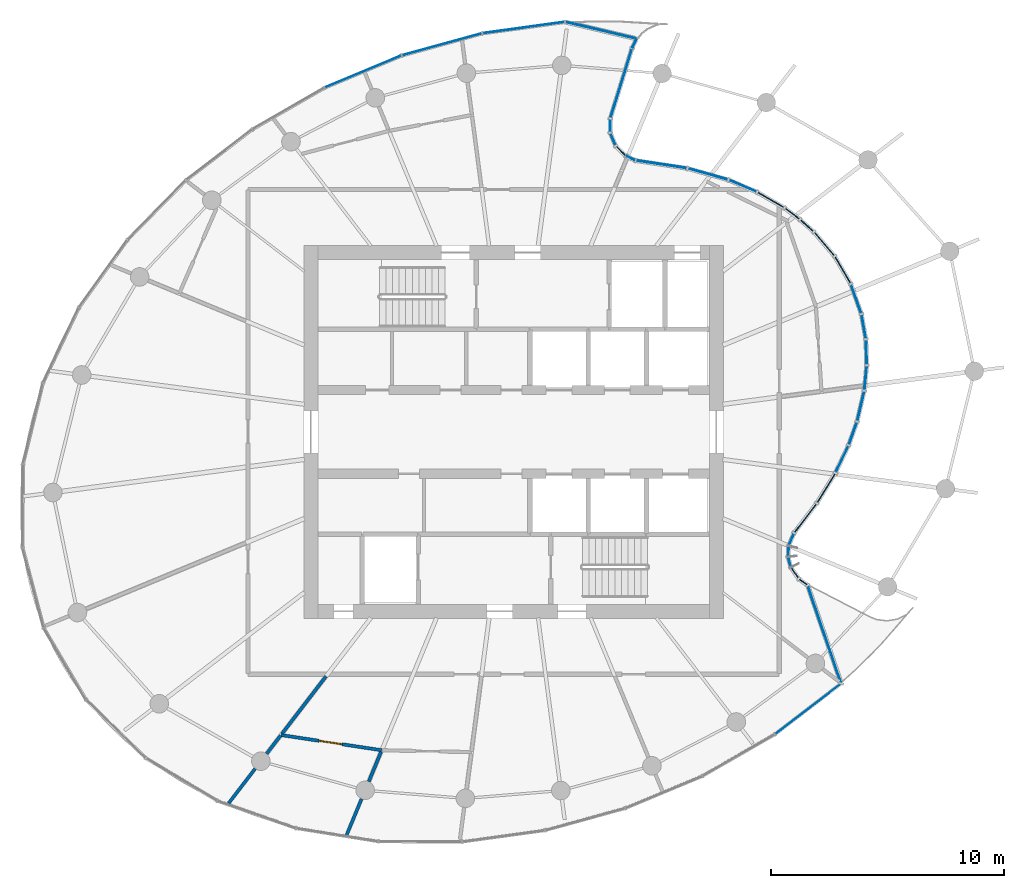
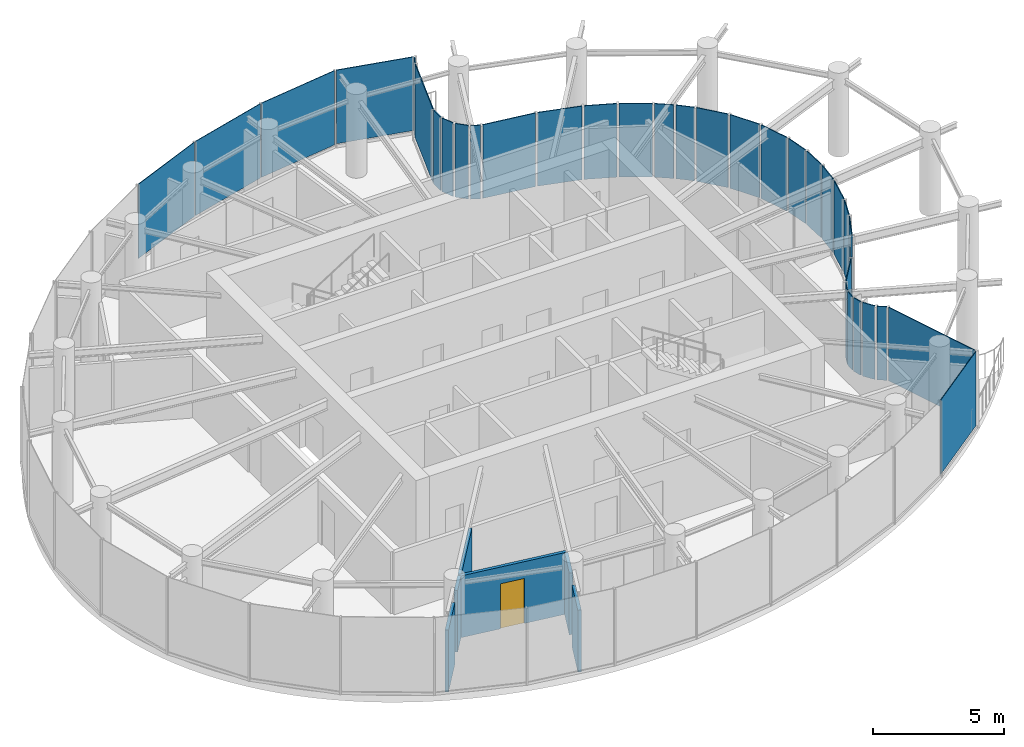
# One storey, part 9 of 14: 34 plates, 6 walls, 1 door, 1 opening, 7 elements without a shape of their own.
"""IFC4 building model written with IfcOpenShell, lengths in metres."""

import ifcopenshell
import ifcopenshell.guid

model = None  # the IFC model being written
_history = None  # IfcOwnerHistory: only IFC2X3 demands one
_inside = {}  # id of a spatial element -> (the spatial element, [elements in it])
_under = {}  # id of a project, library or spatial element -> (it, [spatial elements below it])
_declared = {}  # id of a project -> (the project, [libraries it declares])
_typed = {}  # id of a type object -> (the type object, [elements of that type])
_made_of = {}  # id of a material, layer set ... -> (it, [elements and type objects made of it])


def new_model(schema):
    """Start an empty IFC model of exactly this schema.

    Asked for "IFC4X3", IfcOpenShell would pick the latest addendum, in which some entities
    have other attributes; the version numbers below select the first issue.
    IFC2X3 requires an IfcOwnerHistory on every rooted entity: one is made here for all.
    """
    global model, _history
    if schema == "IFC4X3":
        model = ifcopenshell.file(schema_version=(4, 3, 0, 0))
    else:
        model = ifcopenshell.file(schema=schema)
    _inside.clear()
    _under.clear()
    _declared.clear()
    _typed.clear()
    _made_of.clear()
    _history = None
    if model.schema == "IFC2X3":
        org = make("IfcOrganization", Name="unknown")
        user = make(
            "IfcPersonAndOrganization",
            ThePerson=make("IfcPerson", FamilyName="unknown"),
            TheOrganization=org,
        )
        app = make(
            "IfcApplication",
            ApplicationDeveloper=org,
            Version="unknown",
            ApplicationFullName="unknown",
            ApplicationIdentifier="unknown",
        )
        _history = make(
            "IfcOwnerHistory",
            OwningUser=user,
            OwningApplication=app,
            ChangeAction="ADDED",
            CreationDate=0,
        )
    return model


def make(cls, **values):
    """One entity of the class cls with the attributes given. An attribute that is None is left unset."""
    return model.create_entity(
        cls, **{name: value for name, value in values.items() if value is not None}
    )


def rooted(cls, **values):
    """An entity with a GlobalId (a new one), such as an element, a storey or a relation."""
    return make(cls, GlobalId=ifcopenshell.guid.new(), OwnerHistory=_history, **values)


def si_unit(unit_type, name, prefix=None):
    """IfcSIUnit, for example si_unit("LENGTHUNIT", "METRE", prefix="MILLI")."""
    return make("IfcSIUnit", UnitType=unit_type, Prefix=prefix, Name=name)


def assignment(units):
    """IfcUnitAssignment: the units of a project."""
    return None if units is None else make("IfcUnitAssignment", Units=units)


def point(xyz):
    """IfcCartesianPoint."""
    return None if xyz is None else make("IfcCartesianPoint", Coordinates=xyz)


def direction(xyz):
    """IfcDirection."""
    return None if xyz is None else make("IfcDirection", DirectionRatios=xyz)


def frame(location, z_axis=None, x_axis=None):
    """IfcAxis2Placement3D, a coordinate frame: its origin and axes. An axis left out is left unset."""
    return make(
        "IfcAxis2Placement3D",
        Location=point(location),
        Axis=direction(z_axis),
        RefDirection=direction(x_axis),
    )


def frame_2d(location, x_axis=None):
    """IfcAxis2Placement2D, a coordinate frame in the plane: its origin and x axis."""
    return make(
        "IfcAxis2Placement2D", Location=point(location), RefDirection=direction(x_axis)
    )


def origin():
    """The frame at (0, 0, 0) with its axes left unset."""
    return frame((0.0, 0.0, 0.0))


def origin_2d():
    """The frame at (0, 0) in the plane with its x axis left unset."""
    return frame_2d((0.0, 0.0))


def place(relative_to, where):
    """IfcLocalPlacement: puts the frame where relative to a parent placement (None: the world)."""
    return make(
        "IfcLocalPlacement", PlacementRelTo=relative_to, RelativePlacement=where
    )


def context(
    kind, dimensions, precision=None, world=None, true_north=None, identifier=None
):
    """IfcGeometricRepresentationContext, for example the 3D "Model" context."""
    return make(
        "IfcGeometricRepresentationContext",
        ContextIdentifier=identifier,
        ContextType=kind,
        CoordinateSpaceDimension=dimensions,
        Precision=precision,
        WorldCoordinateSystem=world,
        TrueNorth=true_north,
    )


def subcontext(parent, identifier, kind, view, scale=None):
    """IfcGeometricRepresentationSubContext, for example "Body" below "Model"."""
    return make(
        "IfcGeometricRepresentationSubContext",
        ContextIdentifier=identifier,
        ContextType=kind,
        ParentContext=parent,
        TargetScale=scale,
        TargetView=view,
    )


def project(units=None, contexts=None):
    """IfcProject with its units and contexts."""
    return rooted(
        "IfcProject",
        Name="project",
        RepresentationContexts=contexts,
        UnitsInContext=assignment(units),
    )


def spatial(cls, under=None, at=None, **own):
    """A site, building, storey or space (cls), placed at a placement, below another one or the project."""
    s = rooted(cls, ObjectPlacement=at, **own)
    if under is not None:
        _under.setdefault(under.id(), (under, []))[1].append(s)
    return s


def profile(cls, at=None, kind="AREA", **sizes):
    """A parametric profile (cls). Its sizes go by their IFC names, for example OverallWidth=200.0."""
    return make(cls, ProfileType=kind, Position=at, **sizes)


def rectangle(**sizes):
    """IfcRectangleProfileDef."""
    return profile("IfcRectangleProfileDef", **sizes)


def extrude(swept, where, along, depth):
    """IfcExtrudedAreaSolid: the profile swept, set in the frame where, extruded along a direction by depth."""
    return make(
        "IfcExtrudedAreaSolid",
        SweptArea=swept,
        Position=where,
        ExtrudedDirection=direction(along),
        Depth=depth,
    )


def shape(context_of_items, identifier, shape_type, items):
    """IfcShapeRepresentation: the items that make up one representation, for example the "Body"."""
    return make(
        "IfcShapeRepresentation",
        ContextOfItems=context_of_items,
        RepresentationIdentifier=identifier,
        RepresentationType=shape_type,
        Items=items,
    )


def source(mapping_origin, context_of_items, identifier, shape_type, items):
    """IfcRepresentationMap: a shape defined once, which mapped items show again and again."""
    return make(
        "IfcRepresentationMap",
        MappingOrigin=mapping_origin,
        MappedRepresentation=shape(context_of_items, identifier, shape_type, items),
    )


def transform(
    local_origin,
    x_axis=None,
    y_axis=None,
    z_axis=None,
    scale=None,
    scale2=None,
    scale3=None,
    uniform=True,
):
    """IfcCartesianTransformationOperator3D, or its non-uniform kind. x_axis, y_axis, z_axis: its Axis1, 2, 3."""
    if uniform:
        return make(
            "IfcCartesianTransformationOperator3D",
            Axis1=direction(x_axis),
            Axis2=direction(y_axis),
            LocalOrigin=point(local_origin),
            Scale=scale,
            Axis3=direction(z_axis),
        )
    return make(
        "IfcCartesianTransformationOperator3DnonUniform",
        Axis1=direction(x_axis),
        Axis2=direction(y_axis),
        LocalOrigin=point(local_origin),
        Scale=scale,
        Axis3=direction(z_axis),
        Scale2=scale2,
        Scale3=scale3,
    )


def mapped(mapping_source, mapping_target):
    """IfcMappedItem: shows the shape of a source again, moved by a transform."""
    return make(
        "IfcMappedItem", MappingSource=mapping_source, MappingTarget=mapping_target
    )


def material(Name=None, Category=None):
    """IfcMaterial."""
    return make("IfcMaterial", Name=Name, Category=Category)


def layer(
    of_material, thickness, ventilated=None, Name=None, Category=None, Priority=None
):
    """IfcMaterialLayer: one layer of a wall or slab, of a material (None: an air gap)."""
    return make(
        "IfcMaterialLayer",
        Material=of_material,
        LayerThickness=thickness,
        IsVentilated=ventilated,
        Name=Name,
        Category=Category,
        Priority=Priority,
    )


def layer_set(layers, Name=None):
    """IfcMaterialLayerSet."""
    return make("IfcMaterialLayerSet", MaterialLayers=layers, LayerSetName=Name)


def made_of(thing, what):
    """Note that an element or type object is made of a material, layer set ...; save() writes the relation."""
    if what is not None:
        _made_of.setdefault(what.id(), (what, []))[1].append(thing)
    return thing


def type_object(cls, material=None, **own):
    """A type object (cls), such as IfcWallType, which elements share."""
    return made_of(rooted(cls, **own), material)


def element(
    cls,
    number,
    at=None,
    inside=None,
    cuts=None,
    type_object=None,
    material=None,
    context=None,
    identifier="Body",
    shape_type=None,
    held_by="IfcProductDefinitionShape",
    body=None,
    shapes=None,
    **own,
):
    """One element of the class cls, such as IfcWall. Its Tag is "e" and its number.

    at: its placement. inside: the storey or other place that contains it. cuts: it is an
    opening in that element (IfcRelVoidsElement). A single representation is given by context,
    identifier, shape_type and body (its items); several are given by shapes. held_by: the class
    of the entity that holds the representations. save() writes the other relations.
    """
    e = rooted(cls, Tag="e%d" % number, ObjectPlacement=at, **own)
    if body is not None:
        shapes = [shape(context, identifier, shape_type, body)]
    if shapes is not None:
        e.Representation = make(held_by, Representations=shapes)
    if inside is not None:
        _inside.setdefault(inside.id(), (inside, []))[1].append(e)
    if cuts is not None:
        rooted(
            "IfcRelVoidsElement", RelatingBuildingElement=cuts, RelatedOpeningElement=e
        )
    if type_object is not None:
        _typed.setdefault(type_object.id(), (type_object, []))[1].append(e)
    return made_of(e, material)


def fill(opening, filler):
    """IfcRelFillsElement: the door or window that sits in an opening."""
    return rooted(
        "IfcRelFillsElement",
        RelatingOpeningElement=opening,
        RelatedBuildingElement=filler,
    )


def aggregate(whole, parts):
    """IfcRelAggregates: a whole, such as a stair, and the parts it consists of."""
    return rooted("IfcRelAggregates", RelatingObject=whole, RelatedObjects=parts)


def save(model, path):
    """Write the relations noted so far, then the file.

    IfcRelAggregates (storeys below a building ...), IfcRelContainedInSpatialStructure (elements
    in a storey), IfcRelDefinesByType, IfcRelAssociatesMaterial and IfcRelDeclares: one each for
    every whole, place, type object, material and project.
    """
    for whole, parts in _under.values():
        aggregate(whole, parts)
    for where, things in _inside.values():
        rooted(
            "IfcRelContainedInSpatialStructure",
            RelatedElements=things,
            RelatingStructure=where,
        )
    for kind, things in _typed.values():
        rooted("IfcRelDefinesByType", RelatedObjects=things, RelatingType=kind)
    for what, things in _made_of.values():
        rooted("IfcRelAssociatesMaterial", RelatedObjects=things, RelatingMaterial=what)
    for by, libraries in _declared.values():
        rooted("IfcRelDeclares", RelatingContext=by, RelatedDefinitions=libraries)
    model.write(path)


model = new_model("IFC4")

# Units and contexts
model_context = context("Model", 3, precision=1e-05, world=origin(), true_north=direction((0.0, 1.0)))
body_context = subcontext(model_context, "Body", "Model", "MODEL_VIEW")
ifc_project = project(units=[si_unit("LENGTHUNIT", "METRE"), si_unit("AREAUNIT", "SQUARE_METRE"), si_unit("VOLUMEUNIT", "CUBIC_METRE"), si_unit("PLANEANGLEUNIT", "RADIAN"), si_unit("MASSUNIT", "GRAM", prefix="KILO")], contexts=[model_context])

# Site, building, storey
site_placement = place(None, origin())
site = spatial("IfcSite", under=ifc_project, at=site_placement, CompositionType="ELEMENT")
building_placement = place(site_placement, origin())
building = spatial("IfcBuilding", under=site, at=building_placement, Name="Spindrift Exchange Tower", CompositionType="ELEMENT")
storey_placement = place(building_placement, frame((0.0, 0.0, 238.39990234375)))
storey = spatial("IfcBuildingStorey", under=building, at=storey_placement, Name="L58", CompositionType="ELEMENT", Elevation=238.39990234375)

# Curtain wall, plate
ifc_material_1 = material(Name="Fritted laminated glass with bronze frame", Category="glass")
ifc_layer_1 = layer(ifc_material_1, 0.199951171875)
ifc_layer_set_1 = layer_set([ifc_layer_1], Name="SKY GARDEN BRONZE GLAZED WALL")
curtain_wall_type_1 = type_object("IfcCurtainWallType", Name="SKY GARDEN BRONZE GLAZED WALL", PredefinedType="NOTDEFINED", material=ifc_layer_set_1)
curtain_wall_1_placement = place(storey_placement, origin())
curtain_wall_1 = element("IfcCurtainWall", 1, at=curtain_wall_1_placement, inside=storey, type_object=curtain_wall_type_1, Name="L58 Sky Garden Bronze Glazed Wall run 5", PredefinedType="NOTDEFINED")
ifc_material_2 = material(Name="Bronze tinted laminated glass, clear vision", Category="glass")
ifc_layer_2 = layer(ifc_material_2, 0.0380859375)
ifc_layer_set_2 = layer_set([ifc_layer_2], Name="SKY GARDEN BRONZE GLAZED WALL PANEL CLEAR 1560")
plate_type_1 = type_object("IfcPlateType", Name="SKY GARDEN BRONZE GLAZED WALL PANEL CLEAR 1560", PredefinedType="CURTAIN_PANEL", material=ifc_layer_set_2)
shared_shape_1 = source(origin(), body_context, "Body", "SweptSolid", [
    extrude(rectangle(XDim=0.37939453125, YDim=0.0380859375, at=origin_2d()), origin(), (0.0, 0.0, 1.0), 3.429931640625),
])
plate_1_placement = place(storey_placement, frame((63.798828125, 42.8681640625, 0.14990234375), z_axis=(0.0, 0.0, 1.0), x_axis=(0.046951288279, 0.998897180159, 0.0)))
plate_1 = element("IfcPlate", 2, at=plate_1_placement, type_object=plate_type_1, Name="L58 panel CW-G.27", PredefinedType="CURTAIN_PANEL", context=body_context, shape_type="MappedRepresentation", body=[
    mapped(shared_shape_1, transform((0.0, 0.0, 0.0), scale=1.0)),
])

curtain_wall_2_placement = place(storey_placement, origin())
curtain_wall_2 = element("IfcCurtainWall", 3, at=curtain_wall_2_placement, inside=storey, type_object=curtain_wall_type_1, Name="L58 Sky Garden Bronze Glazed Wall run 6", PredefinedType="NOTDEFINED")
ifc_layer_3 = layer(ifc_material_2, 0.0380859375)
ifc_layer_set_3 = layer_set([ifc_layer_3], Name="SKY GARDEN BRONZE GLAZED WALL PANEL CLEAR 1200")
plate_type_2 = type_object("IfcPlateType", Name="SKY GARDEN BRONZE GLAZED WALL PANEL CLEAR 1200", PredefinedType="CURTAIN_PANEL", material=ifc_layer_set_3)
shared_shape_2 = source(origin(), body_context, "Body", "SweptSolid", [
    extrude(rectangle(XDim=1.435546875, YDim=0.0380859375, at=origin_2d()), origin(), (0.0, 0.0, 1.0), 3.429931640625),
])
plate_2_placement = place(storey_placement, frame((65.415283203125, 45.584716796875, 0.14990234375), z_axis=(0.0, 0.0, 1.0), x_axis=(0.525094423289, 0.851043974558, 0.0)))
plate_2 = element("IfcPlate", 4, at=plate_2_placement, type_object=plate_type_2, Name="L58 panel CW-G.30", PredefinedType="CURTAIN_PANEL", context=body_context, shape_type="MappedRepresentation", body=[
    mapped(shared_shape_2, transform((0.0, 0.0, 0.0), scale=1.0)),
])

curtain_wall_3_placement = place(storey_placement, origin())
curtain_wall_3 = element("IfcCurtainWall", 5, at=curtain_wall_3_placement, inside=storey, type_object=curtain_wall_type_1, Name="L58 Sky Garden Bronze Glazed Wall run 7", PredefinedType="NOTDEFINED")
shared_shape_3 = source(origin(), body_context, "Body", "SweptSolid", [
    extrude(rectangle(XDim=1.03955078125, YDim=0.0380859375, at=origin_2d()), origin(), (0.0, 0.0, 1.0), 3.429931640625),
])
plate_3_placement = place(storey_placement, frame((67.142822265625, 51.414794921875, 0.14990234375), z_axis=(0.0, 0.0, 1.0), x_axis=(-0.033610455424, 0.999435009036, 0.0)))
plate_3 = element("IfcPlate", 6, at=plate_3_placement, type_object=plate_type_2, Name="L58 panel CW-G.35", PredefinedType="CURTAIN_PANEL", context=body_context, shape_type="MappedRepresentation", body=[
    mapped(shared_shape_3, transform((0.0, 0.0, 0.0), scale=1.0)),
])

# Curtain wall, plates
curtain_wall_4_placement = place(storey_placement, origin())
curtain_wall_4 = element("IfcCurtainWall", 7, at=curtain_wall_4_placement, inside=storey, type_object=curtain_wall_type_1, Name="L58 Sky Garden Bronze Glazed Wall run 8", PredefinedType="NOTDEFINED")
shared_shape_4 = source(origin(), body_context, "Body", "SweptSolid", [
    extrude(rectangle(XDim=0.738525390625, YDim=0.0380859375, at=origin_2d()), origin(), (0.0, 0.0, 1.0), 3.429931640625),
])
plate_4_placement = place(storey_placement, frame((63.961181640625, 57.364990234375, 0.14990234375), z_axis=(0.0, 0.0, 1.0), x_axis=(-0.8025863998, 0.596535892346, 0.0)))
plate_4 = element("IfcPlate", 8, at=plate_4_placement, type_object=plate_type_1, Name="L58 panel CW-G.41", PredefinedType="CURTAIN_PANEL", context=body_context, shape_type="MappedRepresentation", body=[
    mapped(shared_shape_4, transform((0.0, 0.0, 0.0), scale=1.0)),
])
shared_shape_5 = source(origin(), body_context, "Body", "SweptSolid", [
    extrude(rectangle(XDim=1.276611328125, YDim=0.0380859375, at=origin_2d()), origin(), (0.0, 0.0, 1.0), 3.429931640625),
])
plate_5_placement = place(storey_placement, frame((63.0419921875, 57.95263671875, 0.14990234375), z_axis=(0.0, 0.0, 1.0), x_axis=(-0.864627519237, 0.502413428343, 0.0)))
plate_5 = element("IfcPlate", 9, at=plate_5_placement, type_object=plate_type_2, Name="L58 panel CW-G.42", PredefinedType="CURTAIN_PANEL", context=body_context, shape_type="MappedRepresentation", body=[
    mapped(shared_shape_5, transform((0.0, 0.0, 0.0), scale=1.0)),
])
ifc_layer_4 = layer(ifc_material_2, 0.0380859375)
ifc_layer_set_4 = layer_set([ifc_layer_4], Name="SKY GARDEN BRONZE GLAZED WALL PANEL CLEAR 1920")
plate_type_3 = type_object("IfcPlateType", Name="SKY GARDEN BRONZE GLAZED WALL PANEL CLEAR 1920", PredefinedType="CURTAIN_PANEL", material=ifc_layer_set_4)
shared_shape_6 = source(origin(), body_context, "Body", "SweptSolid", [
    extrude(rectangle(XDim=1.25439453125, YDim=0.0380859375, at=origin_2d()), origin(), (0.0, 0.0, 1.0), 3.429931640625),
])
plate_6_placement = place(storey_placement, frame((61.837158203125, 58.556396484375, 0.14990234375), z_axis=(0.0, 0.0, 1.0), x_axis=(-0.920410717037, 0.390952825752, 0.0)))
plate_6 = element("IfcPlate", 10, at=plate_6_placement, type_object=plate_type_3, Name="L58 panel CW-G.43", PredefinedType="CURTAIN_PANEL", context=body_context, shape_type="MappedRepresentation", body=[
    mapped(shared_shape_6, transform((0.0, 0.0, 0.0), scale=1.0)),
])
shared_shape_7 = source(origin(), body_context, "Body", "SweptSolid", [
    extrude(rectangle(XDim=1.74560546875, YDim=0.0380859375, at=origin_2d()), origin(), (0.0, 0.0, 1.0), 3.429931640625),
])
plate_7_placement = place(storey_placement, frame((60.33984375, 59.06640625, 0.14990234375), z_axis=(0.0, 0.0, 1.0), x_axis=(-0.962560337362, 0.271067513615, 0.0)))
plate_7 = element("IfcPlate", 11, at=plate_7_placement, type_object=plate_type_1, Name="L58 panel CW-G.44", PredefinedType="CURTAIN_PANEL", context=body_context, shape_type="MappedRepresentation", body=[
    mapped(shared_shape_7, transform((0.0, 0.0, 0.0), scale=1.0)),
])

# Curtain wall, plate
curtain_wall_5_placement = place(storey_placement, origin())
curtain_wall_5 = element("IfcCurtainWall", 12, at=curtain_wall_5_placement, inside=storey, type_object=curtain_wall_type_1, Name="L58 Sky Garden Bronze Glazed Wall run 9", PredefinedType="NOTDEFINED")
shared_shape_8 = source(origin(), body_context, "Body", "SweptSolid", [
    extrude(rectangle(XDim=0.52587890625, YDim=0.0380859375, at=origin_2d()), origin(), (0.0, 0.0, 1.0), 3.429931640625),
])
plate_8_placement = place(storey_placement, frame((56.15380859375, 61.14208984375, 0.14990234375), z_axis=(0.0, 0.0, 1.0), x_axis=(0.003602351785, 0.99999351151, 0.0)))
plate_8 = element("IfcPlate", 13, at=plate_8_placement, type_object=plate_type_3, Name="L58 panel CW-G.49", PredefinedType="CURTAIN_PANEL", context=body_context, shape_type="MappedRepresentation", body=[
    mapped(shared_shape_8, transform((0.0, 0.0, 0.0), scale=1.0)),
])

# Curtain wall, plates
ifc_layer_5 = layer(ifc_material_1, 0.159912109375)
ifc_layer_set_5 = layer_set([ifc_layer_5], Name="ZONE 5 BRONZE FRITTED WALL")
curtain_wall_type_2 = type_object("IfcCurtainWallType", Name="ZONE 5 BRONZE FRITTED WALL", PredefinedType="NOTDEFINED", material=ifc_layer_set_5)
curtain_wall_6_placement = place(storey_placement, origin())
curtain_wall_6 = element("IfcCurtainWall", 14, at=curtain_wall_6_placement, inside=storey, type_object=curtain_wall_type_2, Name="L58 Zone 5 Bronze Fritted Wall run 1", PredefinedType="NOTDEFINED")
ifc_material_3 = material(Name="Bronze fritted laminated glass, open frit", Category="glass")
ifc_layer_6 = layer(ifc_material_3, 0.028076171875)
ifc_layer_set_6 = layer_set([ifc_layer_6], Name="ZONE 5 BRONZE FRITTED WALL PANEL OPEN FRIT 480")
plate_type_4 = type_object("IfcPlateType", Name="ZONE 5 BRONZE FRITTED WALL PANEL OPEN FRIT 480", PredefinedType="CURTAIN_PANEL", material=ifc_layer_set_6)
shared_shape_9 = source(origin(), body_context, "Body", "SweptSolid", [
    extrude(rectangle(XDim=3.52587890625, YDim=0.028076171875, at=origin_2d()), origin(), (0.0, 0.0, 1.0), 3.4599609375),
])
plate_9_placement = place(storey_placement, frame((52.43310546875, 65.35107421875, 0.1201171875), z_axis=(0.0, 0.0, 1.0), x_axis=(-0.990651185094, -0.136419314878, 0.0)))
plate_9 = element("IfcPlate", 15, at=plate_9_placement, type_object=plate_type_4, Name="L58 panel CW-5.1", PredefinedType="CURTAIN_PANEL", context=body_context, shape_type="MappedRepresentation", body=[
    mapped(shared_shape_9, transform((0.0, 0.0, 0.0), scale=1.0)),
])
ifc_layer_7 = layer(ifc_material_3, 0.028076171875)
ifc_layer_set_7 = layer_set([ifc_layer_7], Name="ZONE 5 BRONZE FRITTED WALL PANEL OPEN FRIT 360")
plate_type_5 = type_object("IfcPlateType", Name="ZONE 5 BRONZE FRITTED WALL PANEL OPEN FRIT 360", PredefinedType="CURTAIN_PANEL", material=ifc_layer_set_7)
shared_shape_10 = source(origin(), body_context, "Body", "SweptSolid", [
    extrude(rectangle(XDim=3.5263671875, YDim=0.028076171875, at=origin_2d()), origin(), (0.0, 0.0, 1.0), 3.4599609375),
])
plate_10_placement = place(storey_placement, frame((48.927734375, 64.631103515625, 0.1201171875), z_axis=(0.0, 0.0, 1.0), x_axis=(-0.964223213642, -0.265091671455, 0.0)))
plate_10 = element("IfcPlate", 16, at=plate_10_placement, type_object=plate_type_5, Name="L58 panel CW-5.2", PredefinedType="CURTAIN_PANEL", context=body_context, shape_type="MappedRepresentation", body=[
    mapped(shared_shape_10, transform((0.0, 0.0, 0.0), scale=1.0)),
])
ifc_layer_8 = layer(ifc_material_3, 0.028076171875)
ifc_layer_set_8 = layer_set([ifc_layer_8], Name="ZONE 5 BRONZE FRITTED WALL PANEL OPEN FRIT 600")
plate_type_6 = type_object("IfcPlateType", Name="ZONE 5 BRONZE FRITTED WALL PANEL OPEN FRIT 600", PredefinedType="CURTAIN_PANEL", material=ifc_layer_set_8)
shared_shape_11 = source(origin(), body_context, "Body", "SweptSolid", [
    extrude(rectangle(XDim=3.5263671875, YDim=0.028076171875, at=origin_2d()), origin(), (0.0, 0.0, 1.0), 3.4599609375),
])
plate_11_placement = place(storey_placement, frame((45.5439453125, 63.46484375, 0.1201171875), z_axis=(0.0, 0.0, 1.0), x_axis=(-0.922815346563, -0.385242567933, 0.0)))
plate_11 = element("IfcPlate", 17, at=plate_11_placement, type_object=plate_type_6, Name="L58 panel CW-5.3", PredefinedType="CURTAIN_PANEL", context=body_context, shape_type="MappedRepresentation", body=[
    mapped(shared_shape_11, transform((0.0, 0.0, 0.0), scale=1.0)),
])
aggregate(curtain_wall_6, [plate_9, plate_10, plate_11])

# Curtain wall, plate
curtain_wall_7_placement = place(storey_placement, origin())
curtain_wall_7 = element("IfcCurtainWall", 18, at=curtain_wall_7_placement, inside=storey, type_object=curtain_wall_type_2, Name="L58 Zone 5 Bronze Fritted Wall run 4", PredefinedType="NOTDEFINED")
shared_shape_12 = source(origin(), body_context, "Body", "SweptSolid", [
    extrude(rectangle(XDim=3.526123046875, YDim=0.028076171875, at=origin_2d()), origin(), (0.0, 0.0, 1.0), 3.4599609375),
])
plate_12_placement = place(storey_placement, frame((64.64111328125, 36.10693359375, 0.1201171875), z_axis=(0.0, 0.0, 1.0), x_axis=(0.793600834652, 0.608438752251, 0.0)))
plate_12 = element("IfcPlate", 19, at=plate_12_placement, type_object=plate_type_5, Name="L58 panel CW-5.22", PredefinedType="CURTAIN_PANEL", context=body_context, shape_type="MappedRepresentation", body=[
    mapped(shared_shape_12, transform((0.0, 0.0, 0.0), scale=1.0)),
])
aggregate(curtain_wall_7, [plate_12])

# Plate
shared_shape_13 = source(origin(), body_context, "Body", "SweptSolid", [
    extrude(rectangle(XDim=4.377685546875, YDim=0.0380859375, at=origin_2d()), origin(), (0.0, 0.0, 1.0), 3.429931640625),
])
plate_13_placement = place(storey_placement, frame((65.3408203125, 39.308837890625, 0.14990234375), z_axis=(0.0, 0.0, 1.0), x_axis=(-0.324095745331, 0.946024285026, 0.0)))
plate_13 = element("IfcPlate", 20, at=plate_13_placement, type_object=plate_type_3, Name="L58 panel CW-G.23", PredefinedType="CURTAIN_PANEL", context=body_context, shape_type="MappedRepresentation", body=[
    mapped(shared_shape_13, transform((0.0, 0.0, 0.0), scale=1.0)),
])

shared_shape_14 = source(origin(), body_context, "Body", "SweptSolid", [
    extrude(rectangle(XDim=0.376953125, YDim=0.0380859375, at=origin_2d()), origin(), (0.0, 0.0, 1.0), 3.429931640625),
])
plate_14_placement = place(storey_placement, frame((64.430908203125, 41.55517578125, 0.14990234375), z_axis=(0.0, 0.0, 1.0), x_axis=(-0.809838956342, 0.586652252013, 0.0)))
plate_14 = element("IfcPlate", 21, at=plate_14_placement, type_object=plate_type_3, Name="L58 panel CW-G.24", PredefinedType="CURTAIN_PANEL", context=body_context, shape_type="MappedRepresentation", body=[
    mapped(shared_shape_14, transform((0.0, 0.0, 0.0), scale=1.0)),
])

shared_shape_15 = source(origin(), body_context, "Body", "SweptSolid", [
    extrude(rectangle(XDim=0.52099609375, YDim=0.0380859375, at=origin_2d()), origin(), (0.0, 0.0, 1.0), 3.429931640625),
])
plate_15_placement = place(storey_placement, frame((64.0732421875, 41.94091796875, 0.14990234375), z_axis=(0.0, 0.0, 1.0), x_axis=(-0.562825124925, 0.826575996962, 0.0)))
plate_15 = element("IfcPlate", 22, at=plate_15_placement, type_object=plate_type_2, Name="L58 panel CW-G.25", PredefinedType="CURTAIN_PANEL", context=body_context, shape_type="MappedRepresentation", body=[
    mapped(shared_shape_15, transform((0.0, 0.0, 0.0), scale=1.0)),
])

plate_16_placement = place(storey_placement, frame((63.926025390625, 43.3798828125, 0.14990234375), z_axis=(0.0, 0.0, 1.0), x_axis=(0.383736129105, 0.923442788276, 0.0)))
plate_16 = element("IfcPlate", 23, at=plate_16_placement, type_object=plate_type_2, Name="L58 panel CW-G.28", PredefinedType="CURTAIN_PANEL", context=body_context, shape_type="MappedRepresentation", body=[
    mapped(shared_shape_15, transform((0.0, 0.0, 0.0), scale=1.0)),
])

plate_17_placement = place(storey_placement, frame((56.6015625, 60.05859375, 0.14990234375), z_axis=(0.0, 0.0, 1.0), x_axis=(-0.709002329682, 0.705206137597, 0.0)))
plate_17 = element("IfcPlate", 24, at=plate_17_placement, type_object=plate_type_2, Name="L58 panel CW-G.47", PredefinedType="CURTAIN_PANEL", context=body_context, shape_type="MappedRepresentation", body=[
    mapped(shared_shape_15, transform((0.0, 0.0, 0.0), scale=1.0)),
])

shared_shape_16 = source(origin(), body_context, "Body", "SweptSolid", [
    extrude(rectangle(XDim=0.37451171875, YDim=0.0380859375, at=origin_2d()), origin(), (0.0, 0.0, 1.0), 3.429931640625),
])
plate_18_placement = place(storey_placement, frame((63.84521484375, 42.413818359375, 0.14990234375), z_axis=(0.0, 0.0, 1.0), x_axis=(-0.249648276765, 0.968336582965, 0.0)))
plate_18 = element("IfcPlate", 25, at=plate_18_placement, type_object=plate_type_2, Name="L58 panel CW-G.26", PredefinedType="CURTAIN_PANEL", context=body_context, shape_type="MappedRepresentation", body=[
    mapped(shared_shape_16, transform((0.0, 0.0, 0.0), scale=1.0)),
])

aggregate(curtain_wall_1, [plate_13, plate_14, plate_15, plate_18, plate_1, plate_16])

plate_19_placement = place(storey_placement, frame((57.0244140625, 59.747802734375, 0.14990234375), z_axis=(0.0, 0.0, 1.0), x_axis=(-0.905954895051, 0.423374217607, 0.0)))
plate_19 = element("IfcPlate", 26, at=plate_19_placement, type_object=plate_type_2, Name="L58 panel CW-G.46", PredefinedType="CURTAIN_PANEL", context=body_context, shape_type="MappedRepresentation", body=[
    mapped(shared_shape_16, transform((0.0, 0.0, 0.0), scale=1.0)),
])

shared_shape_17 = source(origin(), body_context, "Body", "SweptSolid", [
    extrude(rectangle(XDim=1.521728515625, YDim=0.0380859375, at=origin_2d()), origin(), (0.0, 0.0, 1.0), 3.429931640625),
])
plate_20_placement = place(storey_placement, frame((64.529296875, 44.298583984375, 0.14990234375), z_axis=(0.0, 0.0, 1.0), x_axis=(0.606046709889, 0.795429057448, 0.0)))
plate_20 = element("IfcPlate", 27, at=plate_20_placement, type_object=plate_type_2, Name="L58 panel CW-G.29", PredefinedType="CURTAIN_PANEL", context=body_context, shape_type="MappedRepresentation", body=[
    mapped(shared_shape_17, transform((0.0, 0.0, 0.0), scale=1.0)),
])

shared_shape_18 = source(origin(), body_context, "Body", "SweptSolid", [
    extrude(rectangle(XDim=1.2333984375, YDim=0.0380859375, at=origin_2d()), origin(), (0.0, 0.0, 1.0), 3.429931640625),
])
plate_21_placement = place(storey_placement, frame((66.098876953125, 46.826416015625, 0.14990234375), z_axis=(0.0, 0.0, 1.0), x_axis=(0.431308034921, 0.902204732316, 0.0)))
plate_21 = element("IfcPlate", 28, at=plate_21_placement, type_object=plate_type_2, Name="L58 panel CW-G.31", PredefinedType="CURTAIN_PANEL", context=body_context, shape_type="MappedRepresentation", body=[
    mapped(shared_shape_18, transform((0.0, 0.0, 0.0), scale=1.0)),
])

shared_shape_19 = source(origin(), body_context, "Body", "SweptSolid", [
    extrude(rectangle(XDim=0.9912109375, YDim=0.0380859375, at=origin_2d()), origin(), (0.0, 0.0, 1.0), 3.429931640625),
])
plate_22_placement = place(storey_placement, frame((66.56494140625, 47.927734375, 0.14990234375), z_axis=(0.0, 0.0, 1.0), x_axis=(0.337808300068, 0.941214934224, 0.0)))
plate_22 = element("IfcPlate", 29, at=plate_22_placement, type_object=plate_type_1, Name="L58 panel CW-G.32", PredefinedType="CURTAIN_PANEL", context=body_context, shape_type="MappedRepresentation", body=[
    mapped(shared_shape_19, transform((0.0, 0.0, 0.0), scale=1.0)),
])

shared_shape_20 = source(origin(), body_context, "Body", "SweptSolid", [
    extrude(rectangle(XDim=1.277099609375, YDim=0.0380859375, at=origin_2d()), origin(), (0.0, 0.0, 1.0), 3.429931640625),
])
plate_23_placement = place(storey_placement, frame((66.90087890625, 49.097412109375, 0.14990234375), z_axis=(0.0, 0.0, 1.0), x_axis=(0.226350412778, 0.974045938668, 0.0)))
plate_23 = element("IfcPlate", 30, at=plate_23_placement, type_object=plate_type_3, Name="L58 panel CW-G.33", PredefinedType="CURTAIN_PANEL", context=body_context, shape_type="MappedRepresentation", body=[
    mapped(shared_shape_20, transform((0.0, 0.0, 0.0), scale=1.0)),
])

shared_shape_21 = source(origin(), body_context, "Body", "SweptSolid", [
    extrude(rectangle(XDim=1.01220703125, YDim=0.0380859375, at=origin_2d()), origin(), (0.0, 0.0, 1.0), 3.429931640625),
])
plate_24_placement = place(storey_placement, frame((67.1083984375, 50.306884765625, 0.14990234375), z_axis=(0.0, 0.0, 1.0), x_axis=(0.097238968039, 0.995261062784, 0.0)))
plate_24 = element("IfcPlate", 31, at=plate_24_placement, type_object=plate_type_1, Name="L58 panel CW-G.34", PredefinedType="CURTAIN_PANEL", context=body_context, shape_type="MappedRepresentation", body=[
    mapped(shared_shape_21, transform((0.0, 0.0, 0.0), scale=1.0)),
])

aggregate(curtain_wall_2, [plate_20, plate_2, plate_21, plate_22, plate_23, plate_24])

shared_shape_22 = source(origin(), body_context, "Body", "SweptSolid", [
    extrude(rectangle(XDim=1.015380859375, YDim=0.0380859375, at=origin_2d()), origin(), (0.0, 0.0, 1.0), 3.429931640625),
])
plate_25_placement = place(storey_placement, frame((67.028076171875, 52.518798828125, 0.14990234375), z_axis=(0.0, 0.0, 1.0), x_axis=(-0.174308163109, 0.984691151719, 0.0)))
plate_25 = element("IfcPlate", 32, at=plate_25_placement, type_object=plate_type_1, Name="L58 panel CW-G.36", PredefinedType="CURTAIN_PANEL", context=body_context, shape_type="MappedRepresentation", body=[
    mapped(shared_shape_22, transform((0.0, 0.0, 0.0), scale=1.0)),
])

shared_shape_23 = source(origin(), body_context, "Body", "SweptSolid", [
    extrude(rectangle(XDim=1.2880859375, YDim=0.0380859375, at=origin_2d()), origin(), (0.0, 0.0, 1.0), 3.429931640625),
])
plate_26_placement = place(storey_placement, frame((66.702392578125, 53.70751953125, 0.14990234375), z_axis=(0.0, 0.0, 1.0), x_axis=(-0.334586579086, 0.942365014788, 0.0)))
plate_26 = element("IfcPlate", 33, at=plate_26_placement, type_object=plate_type_2, Name="L58 panel CW-G.37", PredefinedType="CURTAIN_PANEL", context=body_context, shape_type="MappedRepresentation", body=[
    mapped(shared_shape_23, transform((0.0, 0.0, 0.0), scale=1.0)),
])

shared_shape_24 = source(origin(), body_context, "Body", "SweptSolid", [
    extrude(rectangle(XDim=1.28759765625, YDim=0.0380859375, at=origin_2d()), origin(), (0.0, 0.0, 1.0), 3.429931640625),
])
plate_27_placement = place(storey_placement, frame((66.126953125, 54.947265625, 0.14990234375), z_axis=(0.0, 0.0, 1.0), x_axis=(-0.503612646782, 0.863929570047, 0.0)))
plate_27 = element("IfcPlate", 34, at=plate_27_placement, type_object=plate_type_3, Name="L58 panel CW-G.38", PredefinedType="CURTAIN_PANEL", context=body_context, shape_type="MappedRepresentation", body=[
    mapped(shared_shape_24, transform((0.0, 0.0, 0.0), scale=1.0)),
])

shared_shape_25 = source(origin(), body_context, "Body", "SweptSolid", [
    extrude(rectangle(XDim=1.28857421875, YDim=0.0380859375, at=origin_2d()), origin(), (0.0, 0.0, 1.0), 3.429931640625),
])
plate_28_placement = place(storey_placement, frame((65.335205078125, 56.062255859375, 0.14990234375), z_axis=(0.0, 0.0, 1.0), x_axis=(-0.649843453785, 0.760068079564, 0.0)))
plate_28 = element("IfcPlate", 35, at=plate_28_placement, type_object=plate_type_3, Name="L58 panel CW-G.39", PredefinedType="CURTAIN_PANEL", context=body_context, shape_type="MappedRepresentation", body=[
    mapped(shared_shape_25, transform((0.0, 0.0, 0.0), scale=1.0)),
])

shared_shape_26 = source(origin(), body_context, "Body", "SweptSolid", [
    extrude(rectangle(XDim=0.716796875, YDim=0.0380859375, at=origin_2d()), origin(), (0.0, 0.0, 1.0), 3.429931640625),
])
plate_29_placement = place(storey_placement, frame((64.59033203125, 56.851806640625, 0.14990234375), z_axis=(0.0, 0.0, 1.0), x_axis=(-0.744657625763, 0.667446642357, 0.0)))
plate_29 = element("IfcPlate", 36, at=plate_29_placement, type_object=plate_type_3, Name="L58 panel CW-G.40", PredefinedType="CURTAIN_PANEL", context=body_context, shape_type="MappedRepresentation", body=[
    mapped(shared_shape_26, transform((0.0, 0.0, 0.0), scale=1.0)),
])

aggregate(curtain_wall_3, [plate_3, plate_25, plate_26, plate_27, plate_28, plate_29])

shared_shape_27 = source(origin(), body_context, "Body", "SweptSolid", [
    extrude(rectangle(XDim=2.16650390625, YDim=0.0380859375, at=origin_2d()), origin(), (0.0, 0.0, 1.0), 3.429931640625),
])
plate_30_placement = place(storey_placement, frame((58.345703125, 59.482666015625, 0.14990234375), z_axis=(0.0, 0.0, 1.0), x_axis=(-0.988794453253, 0.149283385598, 0.0)))
plate_30 = element("IfcPlate", 37, at=plate_30_placement, type_object=plate_type_2, Name="L58 panel CW-G.45", PredefinedType="CURTAIN_PANEL", context=body_context, shape_type="MappedRepresentation", body=[
    mapped(shared_shape_27, transform((0.0, 0.0, 0.0), scale=1.0)),
])

aggregate(curtain_wall_4, [plate_4, plate_5, plate_6, plate_7, plate_30, plate_19])

shared_shape_28 = source(origin(), body_context, "Body", "SweptSolid", [
    extrude(rectangle(XDim=0.52587890625, YDim=0.0380859375, at=origin_2d()), origin(), (0.0, 0.0, 1.0), 3.429931640625),
])
plate_31_placement = place(storey_placement, frame((56.269775390625, 60.554443359375, 0.14990234375), z_axis=(0.0, 0.0, 1.0), x_axis=(-0.383104248353, 0.923705112519, 0.0)))
plate_31 = element("IfcPlate", 38, at=plate_31_placement, type_object=plate_type_1, Name="L58 panel CW-G.48", PredefinedType="CURTAIN_PANEL", context=body_context, shape_type="MappedRepresentation", body=[
    mapped(shared_shape_28, transform((0.0, 0.0, 0.0), scale=1.0)),
])

shared_shape_29 = source(origin(), body_context, "Body", "SweptSolid", [
    extrude(rectangle(XDim=3.07177734375, YDim=0.0380859375, at=origin_2d()), origin(), (0.0, 0.0, 1.0), 3.429931640625),
])
plate_32_placement = place(storey_placement, frame((56.62158203125, 62.955078125, 0.14990234375), z_axis=(0.0, 0.0, 1.0), x_axis=(0.29569304453, 0.955283006976, 0.0)))
plate_32 = element("IfcPlate", 39, at=plate_32_placement, type_object=plate_type_3, Name="L58 panel CW-G.50", PredefinedType="CURTAIN_PANEL", context=body_context, shape_type="MappedRepresentation", body=[
    mapped(shared_shape_29, transform((0.0, 0.0, 0.0), scale=1.0)),
])

shared_shape_30 = source(origin(), body_context, "Body", "SweptSolid", [
    extrude(rectangle(XDim=0.36767578125, YDim=0.0380859375, at=origin_2d()), origin(), (0.0, 0.0, 1.0), 3.429931640625),
])
plate_33_placement = place(storey_placement, frame((57.18701171875, 64.66650390625, 0.14990234375), z_axis=(0.0, 0.0, 1.0), x_axis=(0.43568830685, 0.900097605415, 0.0)))
plate_33 = element("IfcPlate", 40, at=plate_33_placement, type_object=plate_type_1, Name="L58 panel CW-G.51", PredefinedType="CURTAIN_PANEL", context=body_context, shape_type="MappedRepresentation", body=[
    mapped(shared_shape_30, transform((0.0, 0.0, 0.0), scale=1.0)),
])

shared_shape_31 = source(origin(), body_context, "Body", "SweptSolid", [
    extrude(rectangle(XDim=3.07568359375, YDim=0.0380859375, at=origin_2d()), origin(), (0.0, 0.0, 1.0), 3.429931640625),
])
plate_34_placement = place(storey_placement, frame((55.74755859375, 65.23291015625, 0.14990234375), z_axis=(0.0, 0.0, 1.0), x_axis=(-0.973313613643, 0.229478995765, 0.0)))
plate_34 = element("IfcPlate", 41, at=plate_34_placement, type_object=plate_type_3, Name="L58 panel CW-G.52", PredefinedType="CURTAIN_PANEL", context=body_context, shape_type="MappedRepresentation", body=[
    mapped(shared_shape_31, transform((0.0, 0.0, 0.0), scale=1.0)),
])

aggregate(curtain_wall_5, [plate_17, plate_31, plate_8, plate_32, plate_33, plate_34])

# Wall, opening, door
ifc_material_4 = material(Name="Fire-rated plasterboard partition", Category="gypsum")
ifc_layer_9 = layer(ifc_material_4, 0.139892578125)
ifc_layer_set_9 = layer_set([ifc_layer_9], Name="W-PART-140")
wall_type = type_object("IfcWallType", Name="W-PART-140", PredefinedType="PARTITIONING", material=ifc_layer_set_9)
wall_1_placement = place(storey_placement, frame((46.33984375, 34.335205078125, 0.0), z_axis=(0.0, 0.0, 1.0), x_axis=(-0.988786802826, 0.149334050224, 0.0)))
wall_1 = element("IfcWall", 42, at=wall_1_placement, inside=storey, type_object=wall_type, Name="L58 Partition wall 32", PredefinedType="PARTITIONING", context=body_context, shape_type="SweptSolid", body=[
    extrude(rectangle(XDim=4.373291015625, YDim=0.139892578125, at=frame_2d((2.1865234375, 0.0))), origin(), (0.0, 0.0, 1.0), 2.880126953125),
])
opening_placement = place(wall_1_placement, frame((1.72314453125, 0.0, 0.0)))
opening = element("IfcOpeningElement", 43, at=opening_placement, cuts=wall_1, Name="Opening L58-D29", PredefinedType="OPENING", context=body_context, shape_type="SweptSolid", body=[
    extrude(rectangle(XDim=1.0, YDim=2.10009765625, at=frame_2d((0.5, 1.050048828125))), frame((0.0, 0.079833984375, 0.0), z_axis=(0.0, -1.0, 0.0), x_axis=(1.0, 0.0, 0.0)), (0.0, 0.0, 1.0), 0.159912109375),
])
ifc_material_5 = material(Name="Timber-core fire door", Category="wood")
door_type = type_object("IfcDoorType", Name="DR-ROOM-1000", OperationType="NOTDEFINED", PredefinedType="DOOR", material=ifc_material_5)
shared_shape_32 = source(origin(), body_context, "Body", "SweptSolid", [
    extrude(rectangle(XDim=1.0, YDim=2.10009765625, at=frame_2d((0.5, 1.050048828125))), frame((0.0, 0.02490234375, 0.0), z_axis=(0.0, -1.0, 0.0), x_axis=(1.0, 0.0, 0.0)), (0.0, 0.0, 1.0), 0.050048828125),
])
door_placement = place(opening_placement, origin())
door = element("IfcDoor", 44, at=door_placement, inside=storey, type_object=door_type, Name="L58 Door 29", OperationType="SINGLE_SWING_RIGHT", OverallHeight=2.10009765625, OverallWidth=1.0, PredefinedType="DOOR", context=body_context, shape_type="MappedRepresentation", body=[
    mapped(shared_shape_32, transform((0.0, 0.0, 0.0), scale=1.0)),
])
fill(opening, door)

# Walls
wall_2_placement = place(storey_placement, frame((43.95068359375, 37.510009765625, 0.0), z_axis=(0.0, 0.0, 1.0), x_axis=(-0.608762283449, -0.793352684655, 0.0)))
element("IfcWall", 45, at=wall_2_placement, inside=storey, type_object=wall_type, Name="L58 Partition wall 41", PredefinedType="PARTITIONING", context=body_context, shape_type="SweptSolid", body=[
    extrude(rectangle(XDim=3.098876953125, YDim=0.139892578125, at=frame_2d((1.54931640625, 0.0))), origin(), (0.0, 0.0, 1.0), 2.880126953125),
])
wall_3_placement = place(storey_placement, frame((40.90673828125, 33.543212890625, 0.0), z_axis=(0.0, 0.0, 1.0), x_axis=(-0.608634864528, -0.793450440595, 0.0)))
element("IfcWall", 46, at=wall_3_placement, inside=storey, type_object=wall_type, Name="L58 Partition wall 48", PredefinedType="PARTITIONING", context=body_context, shape_type="SweptSolid", body=[
    extrude(rectangle(XDim=1.865234375, YDim=0.139892578125, at=frame_2d((0.9326171875, 0.0))), origin(), (0.0, 0.0, 1.0), 2.880126953125),
])
wall_4_placement = place(storey_placement, frame((45.473388671875, 32.2431640625, 0.0), z_axis=(0.0, 0.0, 1.0), x_axis=(-0.382750878351, -0.923851592585, 0.0)))
element("IfcWall", 47, at=wall_4_placement, inside=storey, type_object=wall_type, Name="L58 Partition wall 51", PredefinedType="PARTITIONING", context=body_context, shape_type="SweptSolid", body=[
    extrude(rectangle(XDim=1.69287109375, YDim=0.139892578125, at=frame_2d((0.846435546875, 0.0))), origin(), (0.0, 0.0, 1.0), 2.880126953125),
])
wall_5_placement = place(storey_placement, frame((46.312255859375, 34.2685546875, 0.0), z_axis=(0.0, 0.0, 1.0), x_axis=(-0.382783403295, -0.923838116859, 0.0)))
element("IfcWall", 48, at=wall_5_placement, inside=storey, type_object=wall_type, Name="L58 Partition wall 54", PredefinedType="PARTITIONING", context=body_context, shape_type="SweptSolid", body=[
    extrude(rectangle(XDim=1.382080078125, YDim=0.139892578125, at=frame_2d((0.69091796875, 0.0))), origin(), (0.0, 0.0, 1.0), 2.880126953125),
])
wall_6_placement = place(storey_placement, frame((41.997314453125, 34.96435546875, 0.0), z_axis=(0.0, 0.0, 1.0), x_axis=(-0.608713283109, -0.793390281619, 0.0)))
element("IfcWall", 49, at=wall_6_placement, inside=storey, type_object=wall_type, Name="L58 Partition wall 60", PredefinedType="PARTITIONING", context=body_context, shape_type="SweptSolid", body=[
    extrude(rectangle(XDim=0.982177734375, YDim=0.139892578125, at=frame_2d((0.4912109375, 0.0))), origin(), (0.0, 0.0, 1.0), 2.880126953125),
])

save(model, "model.ifc")
